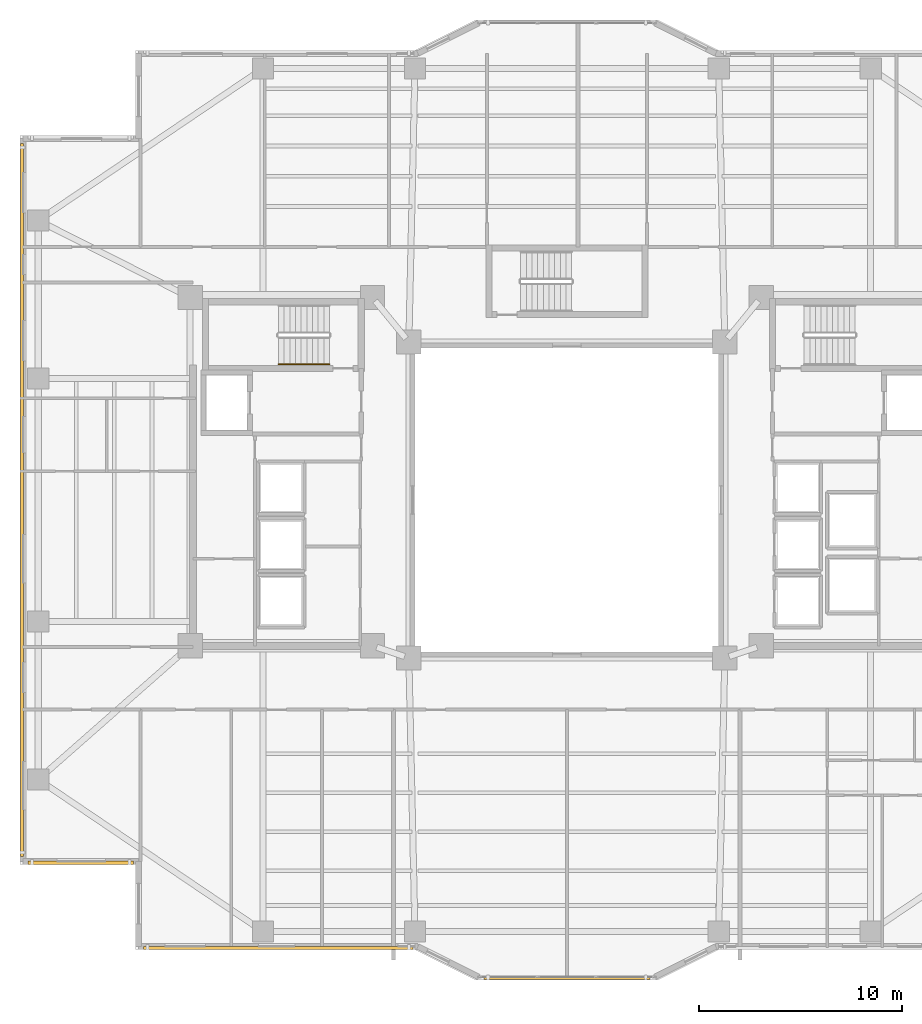
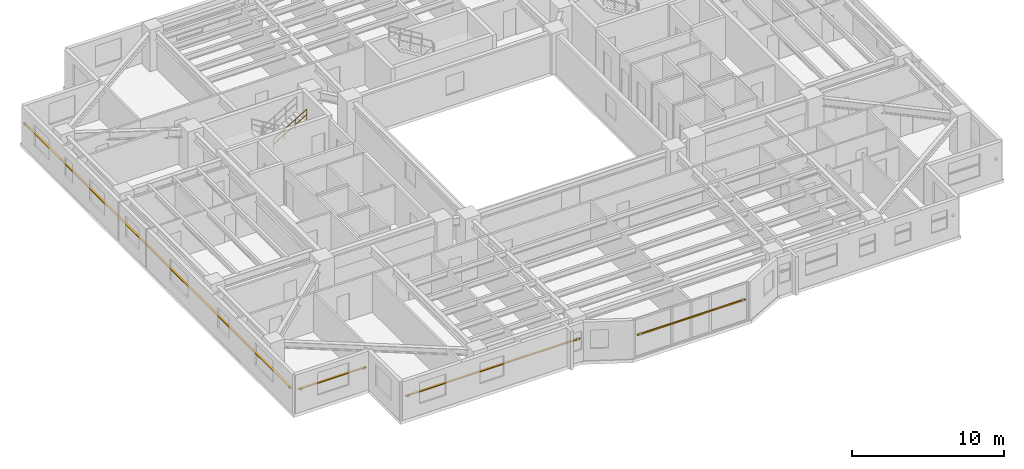
# One storey, part 14 of 18: 4 shading devices, 1 railing.
"""IFC4 building model written with IfcOpenShell, lengths in metres."""

from ifc_helpers import new_model, si_unit, direction, frame, origin, origin_2d, place, context, subcontext, project, spatial, rectangle, circle, extrude, material, material_profile, profile_set, type_object, element, save


model = new_model("IFC4")

# Units and contexts
model_context = context("Model", 3, precision=1e-05, world=origin(), true_north=direction((0.0, 1.0)))
body_context = subcontext(model_context, "Body", "Model", "MODEL_VIEW")
ifc_project = project(units=[si_unit("LENGTHUNIT", "METRE"), si_unit("AREAUNIT", "SQUARE_METRE"), si_unit("VOLUMEUNIT", "CUBIC_METRE"), si_unit("PLANEANGLEUNIT", "RADIAN"), si_unit("MASSUNIT", "GRAM", prefix="KILO")], contexts=[model_context])

# Site, building, storey
site_placement = place(None, origin())
site = spatial("IfcSite", under=ifc_project, at=site_placement, CompositionType="ELEMENT")
building_placement = place(site_placement, origin())
building = spatial("IfcBuilding", under=site, at=building_placement, Name="Tarnavaz Court Tower", CompositionType="ELEMENT")
storey_placement = place(building_placement, frame((0.0, 0.0, 105.10009765625)))
storey = spatial("IfcBuildingStorey", under=building, at=storey_placement, Name="L28", CompositionType="ELEMENT", Elevation=105.10009765625)

# Railing
ifc_material_1 = material(Name="Brushed Stainless Steel", Category="steel")
railing_type = type_object("IfcRailingType", Name="RL-HANDRAIL-900", PredefinedType="HANDRAIL", material=ifc_material_1)
railing_placement = place(storey_placement, frame((-14.239990234375, 6.699951171875, 1.84228515625)))
element("IfcRailing", 1, at=railing_placement, inside=storey, type_object=railing_type, Name="L28 ST-W1 stair handrail 2", PredefinedType="HANDRAIL", context=body_context, shape_type="SweptSolid", body=[
    extrude(circle(Radius=0.02392578125, at=origin_2d()), frame((0.0, 0.0, 0.8759765625), z_axis=(0.858159760407, 0.0, 0.513382728203), x_axis=(0.0, 1.0, 0.0)), (0.0, 0.0, 1.0), 2.9365234375),
    extrude(circle(Radius=0.02392578125, at=origin_2d()), frame((0.0, 0.0, 0.449951171875), z_axis=(0.858159760407, 0.0, 0.513382728203), x_axis=(0.0, 1.0, 0.0)), (0.0, 0.0, 1.0), 2.9365234375),
    extrude(circle(Radius=0.02099609375, at=origin_2d()), origin(), (0.0, 0.0, 1.0), 0.851806640625),
    extrude(circle(Radius=0.02099609375, at=origin_2d()), frame((0.840087890625, 0.0, 0.50244140625)), (0.0, 0.0, 1.0), 0.851806640625),
    extrude(circle(Radius=0.02099609375, at=origin_2d()), frame((1.679931640625, 0.0, 1.005126953125)), (0.0, 0.0, 1.0), 0.851806640625),
    extrude(circle(Radius=0.02099609375, at=origin_2d()), frame((2.52001953125, 0.0, 1.507568359375)), (0.0, 0.0, 1.0), 0.851806640625),
])

# Shading devices
ifc_material_2 = material(Name="Kiln-Fired Khorasan Terracotta Ceramic", Category="masonry")
ifc_material_profile_1 = material_profile(ifc_material_2, rectangle(XDim=0.1201171875, YDim=0.06005859375, at=origin_2d()), Name="TC BAGUETTE 120X60")
ifc_profile_set_1 = profile_set([ifc_material_profile_1], Name="Kiln-Fired Khorasan Terracotta Ceramic")
shading_device_type_1 = type_object("IfcShadingDeviceType", Name="SD-BAG-120", PredefinedType="USERDEFINED", material=ifc_profile_set_1)
shading_device_1_placement = place(storey_placement, frame((4.10009765625, -23.610107421875, 1.7998046875), z_axis=(-1.0, 0.0, 0.0), x_axis=(0.0, -1.0, 0.0)))
element("IfcShadingDevice", 2, at=shading_device_1_placement, inside=storey, type_object=shading_device_type_1, Name="L28 Terracotta Baguette Screen PBG17", ObjectType="BAGUETTE", PredefinedType="USERDEFINED", context=body_context, shape_type="SweptSolid", body=[
    extrude(rectangle(XDim=0.1201171875, YDim=0.06005859375, at=origin_2d()), origin(), (0.0, 0.0, 1.0), 8.2001953125),
])
ifc_material_profile_2 = material_profile(ifc_material_2, rectangle(XDim=0.14990234375, YDim=0.06494140625, at=origin_2d()), Name="TC BAGUETTE 150X65")
ifc_profile_set_2 = profile_set([ifc_material_profile_2], Name="Kiln-Fired Khorasan Terracotta Ceramic")
shading_device_type_2 = type_object("IfcShadingDeviceType", Name="SD-BAG-150", PredefinedType="USERDEFINED", material=ifc_profile_set_2)
shading_device_2_placement = place(storey_placement, frame((-21.39990234375, -17.909912109375, 1.849853515625), z_axis=(-1.0, 0.0, 0.0), x_axis=(0.0, -1.0, 0.0)))
element("IfcShadingDevice", 3, at=shading_device_2_placement, inside=storey, type_object=shading_device_type_2, Name="L28 Terracotta Baguette Screen FBG01", ObjectType="BAGUETTE", PredefinedType="USERDEFINED", context=body_context, shape_type="SweptSolid", body=[
    extrude(rectangle(XDim=0.14990234375, YDim=0.06494140625, at=origin_2d()), origin(), (0.0, 0.0, 1.0), 5.2001953125),
])
shading_device_3_placement = place(storey_placement, frame((-26.909912109375, -17.60009765625, 1.849853515625), z_axis=(0.0, 1.0, 0.0), x_axis=(-1.0, 0.0, 0.0)))
element("IfcShadingDevice", 4, at=shading_device_3_placement, inside=storey, type_object=shading_device_type_2, Name="L28 Terracotta Baguette Screen FBG02", ObjectType="BAGUETTE", PredefinedType="USERDEFINED", context=body_context, shape_type="SweptSolid", body=[
    extrude(rectangle(XDim=0.14990234375, YDim=0.06494140625, at=origin_2d()), origin(), (0.0, 0.0, 1.0), 35.2001953125),
])
shading_device_4_placement = place(storey_placement, frame((-7.60009765625, -22.110107421875, 1.849853515625), z_axis=(-1.0, 0.0, 0.0), x_axis=(0.0, -1.0, 0.0)))
element("IfcShadingDevice", 5, at=shading_device_4_placement, inside=storey, type_object=shading_device_type_2, Name="L28 Terracotta Baguette Screen FBG19", ObjectType="BAGUETTE", PredefinedType="USERDEFINED", context=body_context, shape_type="SweptSolid", body=[
    extrude(rectangle(XDim=0.14990234375, YDim=0.06494140625, at=origin_2d()), origin(), (0.0, 0.0, 1.0), 13.2998046875),
])

save(model, "model.ifc")
